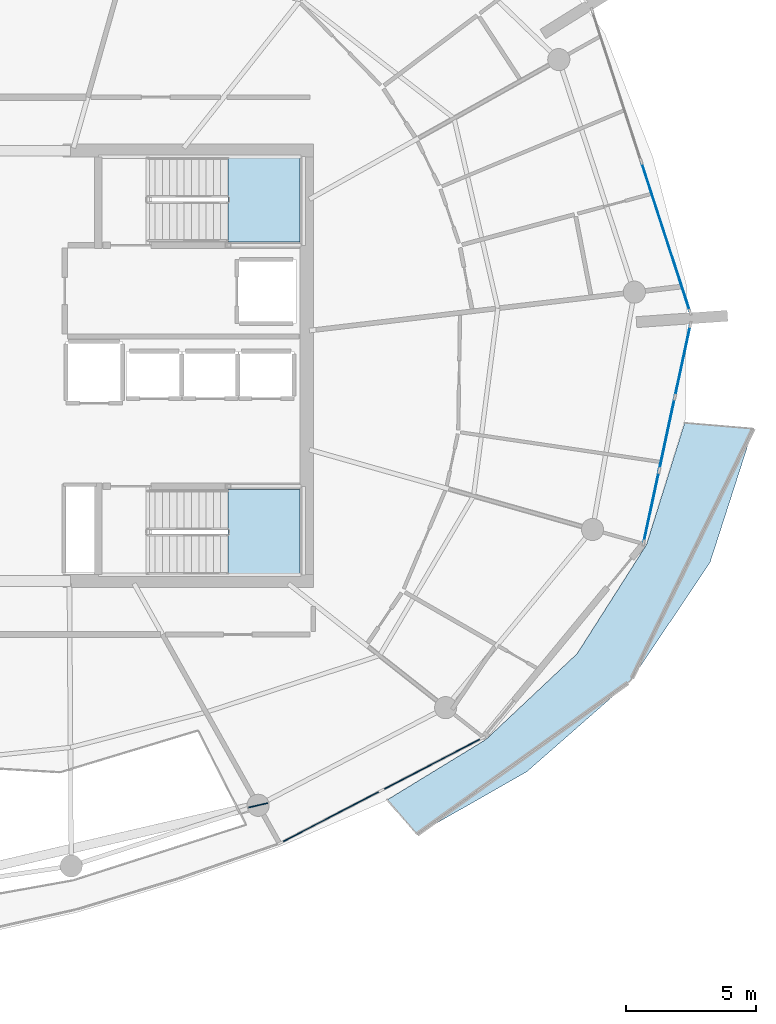
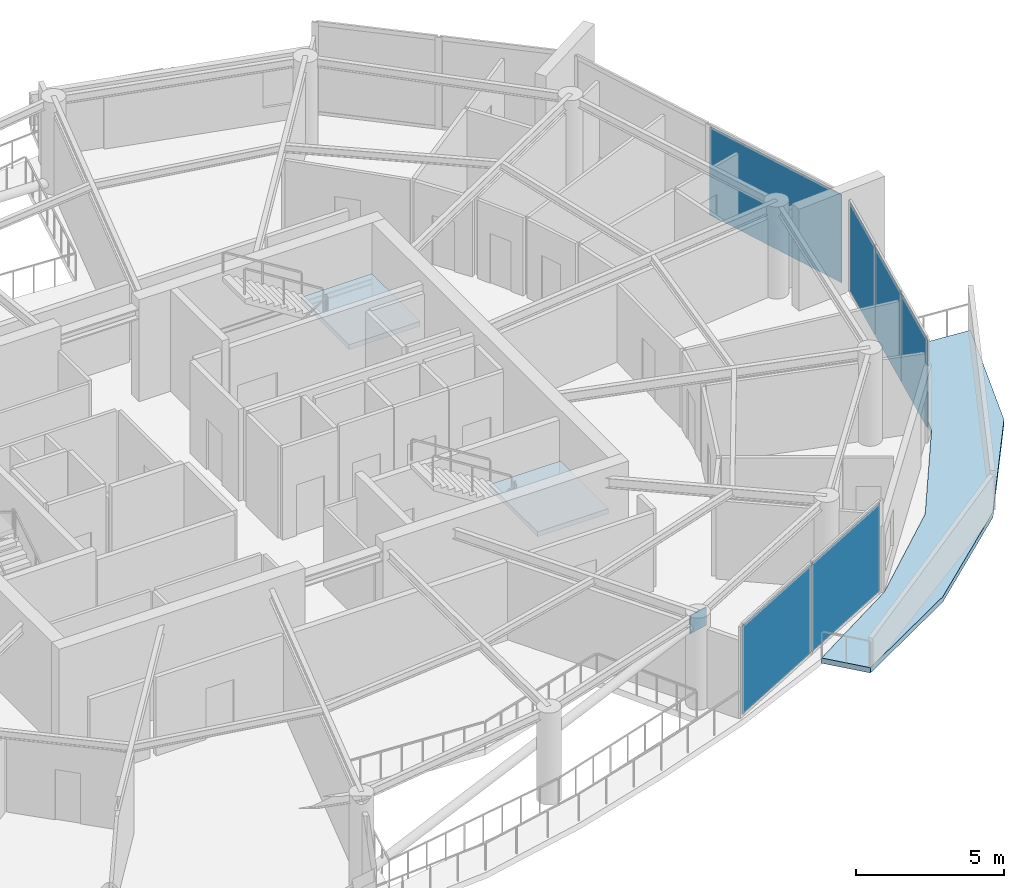
# One storey, part 10 of 21: 7 plates, 3 slabs, 5 elements without a shape of their own.
"""IFC4 building model written with IfcOpenShell, lengths in metres."""

from ifc_helpers import new_model, si_unit, direction, frame, origin, origin_2d, place, context, subcontext, project, spatial, polyline, rectangle, outline, extrude, material, layer, layer_set, type_object, element, aggregate, save


model = new_model("IFC4")

# Units and contexts
model_context = context("Model", 3, precision=1e-05, world=origin(), true_north=direction((0.0, 1.0)))
body_context = subcontext(model_context, "Body", "Model", "MODEL_VIEW")
ifc_project = project(units=[si_unit("LENGTHUNIT", "METRE"), si_unit("AREAUNIT", "SQUARE_METRE"), si_unit("VOLUMEUNIT", "CUBIC_METRE"), si_unit("PLANEANGLEUNIT", "RADIAN"), si_unit("MASSUNIT", "GRAM", prefix="KILO")], contexts=[model_context])

# Site, building, storey
site_placement = place(None, origin())
site = spatial("IfcSite", under=ifc_project, at=site_placement, CompositionType="ELEMENT")
building_placement = place(site_placement, origin())
building = spatial("IfcBuilding", under=site, at=building_placement, Name="Kazma Halo Residences", CompositionType="ELEMENT")
storey_placement = place(building_placement, frame((0.0, 0.0, 338.89990234375)))
storey = spatial("IfcBuildingStorey", under=building, at=storey_placement, Name="L85", CompositionType="ELEMENT", Elevation=338.89990234375)

# Curtain wall, plates
ifc_material_1 = material(Name="Aluminium AW-6063 T6 and Triple-Silver Low-E Glass", Category="aluminium")
ifc_layer_1 = layer(ifc_material_1, 0.239990234375)
ifc_layer_set_1 = layer_set([ifc_layer_1], Name="Aluminium AW-6063 T6 and Triple-Silver Low-E Glass")
curtain_wall_type = type_object("IfcCurtainWallType", Name="CW-SYS-6", PredefinedType="NOTDEFINED", material=ifc_layer_set_1)
curtain_wall_1_placement = place(storey_placement, origin())
curtain_wall_1 = element("IfcCurtainWall", 1, at=curtain_wall_1_placement, inside=storey, type_object=curtain_wall_type, Name="L85 unitised curtain wall B13", PredefinedType="NOTDEFINED")
ifc_material_2 = material(Name="Clear Triple-Silver Low-E Glass IGU", Category="glass")
ifc_layer_2 = layer(ifc_material_2, 0.035888671875)
ifc_layer_set_2 = layer_set([ifc_layer_2], Name="Clear Triple-Silver Low-E Glass IGU")
plate_type_1 = type_object("IfcPlateType", Name="CW-SYS-6-PNL", PredefinedType="CURTAIN_PANEL", material=ifc_layer_set_2)
plate_1_placement = place(storey_placement, frame((60.22802734375, 24.713134765625, 0.080078125), z_axis=(0.0, 0.0, 1.0), x_axis=(0.887506071618, 0.460796020861, 0.0)))
plate_1 = element("IfcPlate", 2, at=plate_1_placement, type_object=plate_type_1, Name="CWS-6 panel 1.1", PredefinedType="CURTAIN_PANEL", context=body_context, shape_type="SweptSolid", body=[
    extrude(rectangle(XDim=4.28662109375, YDim=0.035888671875, at=origin_2d()), origin(), (0.0, 0.0, 1.0), 3.639892578125),
])
plate_2_placement = place(storey_placement, frame((64.103271484375, 26.725341796875, 0.080078125), z_axis=(0.0, 0.0, 1.0), x_axis=(0.887506071618, 0.460796020861, 0.0)))
plate_2 = element("IfcPlate", 3, at=plate_2_placement, type_object=plate_type_1, Name="CWS-6 panel 2.1", PredefinedType="CURTAIN_PANEL", context=body_context, shape_type="SweptSolid", body=[
    extrude(rectangle(XDim=4.28662109375, YDim=0.035888671875, at=origin_2d()), origin(), (0.0, 0.0, 1.0), 3.639892578125),
])
aggregate(curtain_wall_1, [plate_1, plate_2])

curtain_wall_2_placement = place(storey_placement, origin())
curtain_wall_2 = element("IfcCurtainWall", 4, at=curtain_wall_2_placement, inside=storey, type_object=curtain_wall_type, Name="L85 unitised curtain wall B15", PredefinedType="NOTDEFINED")
plate_3_placement = place(storey_placement, frame((72.513427734375, 36.59912109375, 0.080078125), z_axis=(0.0, 0.0, 1.0), x_axis=(0.209722888986, 0.977760865363, 0.0)))
plate_3 = element("IfcPlate", 5, at=plate_3_placement, type_object=plate_type_1, Name="CWS-6 panel 1.1", PredefinedType="CURTAIN_PANEL", context=body_context, shape_type="SweptSolid", body=[
    extrude(rectangle(XDim=2.7578125, YDim=0.035888671875, at=origin_2d()), origin(), (0.0, 0.0, 1.0), 3.639892578125),
])
plate_4_placement = place(storey_placement, frame((73.11279296875, 39.3935546875, 0.080078125), z_axis=(0.0, 0.0, 1.0), x_axis=(0.209722888986, 0.977760865363, 0.0)))
plate_4 = element("IfcPlate", 6, at=plate_4_placement, type_object=plate_type_1, Name="CWS-6 panel 2.1", PredefinedType="CURTAIN_PANEL", context=body_context, shape_type="SweptSolid", body=[
    extrude(rectangle(XDim=2.7978515625, YDim=0.035888671875, at=origin_2d()), origin(), (0.0, 0.0, 1.0), 3.639892578125),
])
plate_5_placement = place(storey_placement, frame((73.712158203125, 42.187744140625, 0.080078125), z_axis=(0.0, 0.0, 1.0), x_axis=(0.209722888986, 0.977760865363, 0.0)))
plate_5 = element("IfcPlate", 7, at=plate_5_placement, type_object=plate_type_1, Name="CWS-6 panel 3.1", PredefinedType="CURTAIN_PANEL", context=body_context, shape_type="SweptSolid", body=[
    extrude(rectangle(XDim=2.7578125, YDim=0.035888671875, at=origin_2d()), origin(), (0.0, 0.0, 1.0), 3.639892578125),
])
aggregate(curtain_wall_2, [plate_3, plate_4, plate_5])

# Curtain wall, plate
curtain_wall_3_placement = place(storey_placement, origin())
curtain_wall_3 = element("IfcCurtainWall", 8, at=curtain_wall_3_placement, inside=storey, type_object=curtain_wall_type, Name="L85 unitised curtain wall B16", PredefinedType="NOTDEFINED")
plate_6_placement = place(storey_placement, frame((73.060791015625, 46.9501953125, 0.080078125), z_axis=(0.0, 0.0, 1.0), x_axis=(-0.309018932797, 0.951055886462, 0.0)))
plate_6 = element("IfcPlate", 9, at=plate_6_placement, type_object=plate_type_1, Name="CWS-6 panel 1.1", PredefinedType="CURTAIN_PANEL", context=body_context, shape_type="SweptSolid", body=[
    extrude(rectangle(XDim=5.99267578125, YDim=0.035888671875, at=origin_2d()), origin(), (0.0, 0.0, 1.0), 3.639892578125),
])
aggregate(curtain_wall_3, [plate_6])

# Plate
ifc_material_3 = material(Name="Steel S355", Category="steel")
ifc_layer_3 = layer(ifc_material_3, 0.0400390625)
ifc_layer_set_3 = layer_set([ifc_layer_3], Name="Steel S355")
plate_type_2 = type_object("IfcPlateType", Name="PLT-GUSSET-40", PredefinedType="SHEET", material=ifc_layer_set_3)
plate_7_placement = place(storey_placement, frame((57.436767578125, 25.1494140625, 3.045166015625), z_axis=(0.0, 0.0, 1.0), x_axis=(0.974083647521, 0.226188080216, 0.0)))
element("IfcPlate", 10, at=plate_7_placement, inside=storey, type_object=plate_type_2, Name="L85 wind-portal upper gusset SSE", PredefinedType="SHEET", context=body_context, shape_type="SweptSolid", body=[
    extrude(rectangle(XDim=0.75, YDim=0.0400390625, at=origin_2d()), origin(), (0.0, 0.0, 1.0), 0.75),
])

# Slab
ifc_material_4 = material(Name="White Concrete C50/60", Category="concrete")
ifc_layer_4 = layer(ifc_material_4, 0.219970703125)
ifc_layer_set_4 = layer_set([ifc_layer_4], Name="White Concrete C50/60")
slab_type_1 = type_object("IfcSlabType", Name="SLB-BAL-WAVE-210", PredefinedType="FLOOR", material=ifc_layer_set_4)
slab_1_placement = place(storey_placement, frame((0.0, 0.0, -0.219970703125)))
element("IfcSlab", 11, at=slab_1_placement, inside=storey, type_object=slab_type_1, Name="L85 SE cantilevered wave balcony slab", PredefinedType="FLOOR", context=body_context, shape_type="SweptSolid", body=[
    extrude(outline(polyline([(62.38818359375, 25.360595703125), (66.17236328125, 27.674072265625), (69.664794921875, 30.961181640625), (72.324951171875, 35.1396484375), (73.7900390625, 39.811767578125), (76.41796875, 39.588623046875), (74.76025390625, 34.452880859375), (71.71142578125, 29.91845703125), (67.740234375, 26.43798828125), (63.531005859375, 24.038818359375), (62.38818359375, 25.360595703125)])), origin(), (0.0, 0.0, 1.0), 0.219970703125),
])

# Stair, slab
ifc_material_5 = material(Name="Concrete C50/60", Category="concrete")
stair_type = type_object("IfcStairType", Name="STR-RES2", PredefinedType="HALF_TURN_STAIR", material=ifc_material_5)
stair_1_placement = place(storey_placement, origin())
stair_1 = element("IfcStair", 12, at=stair_1_placement, inside=storey, type_object=stair_type, Name="L85 Core exit stair ST-02", PredefinedType="HALF_TURN_STAIR")
ifc_layer_5 = layer(ifc_material_5, 0.199951171875)
ifc_layer_set_5 = layer_set([ifc_layer_5], Name="Concrete C50/60")
slab_type_2 = type_object("IfcSlabType", Name="SLB-STAIR-LND-200", PredefinedType="LANDING", material=ifc_layer_set_5)
slab_2_placement = place(storey_placement, frame((0.0, 0.0, 1.900146484375)))
slab_2 = element("IfcSlab", 13, at=slab_2_placement, type_object=slab_type_2, Name="ST-02 landing 1", PredefinedType="LANDING", context=body_context, shape_type="SweptSolid", body=[
    extrude(outline(polyline([(56.280029296875, 46.75), (59.050048828125, 46.75), (59.050048828125, 50.0), (56.280029296875, 50.0), (56.280029296875, 46.75)])), origin(), (0.0, 0.0, 1.0), 0.199951171875),
])
aggregate(stair_1, [slab_2])

stair_2_placement = place(storey_placement, origin())
stair_2 = element("IfcStair", 14, at=stair_2_placement, inside=storey, type_object=stair_type, Name="L85 Core exit stair ST-03", PredefinedType="HALF_TURN_STAIR")
slab_3_placement = place(storey_placement, frame((0.0, 0.0, 1.900146484375)))
slab_3 = element("IfcSlab", 15, at=slab_3_placement, type_object=slab_type_2, Name="ST-03 landing 1", PredefinedType="LANDING", context=body_context, shape_type="SweptSolid", body=[
    extrude(outline(polyline([(56.280029296875, 34.0), (59.050048828125, 34.0), (59.050048828125, 37.25), (56.280029296875, 37.25), (56.280029296875, 34.0)])), origin(), (0.0, 0.0, 1.0), 0.199951171875),
])
aggregate(stair_2, [slab_3])

save(model, "model.ifc")
